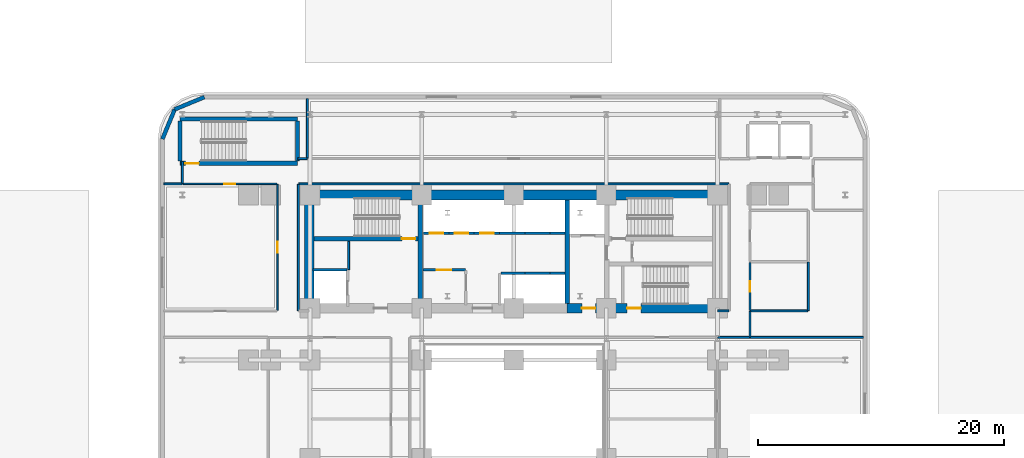
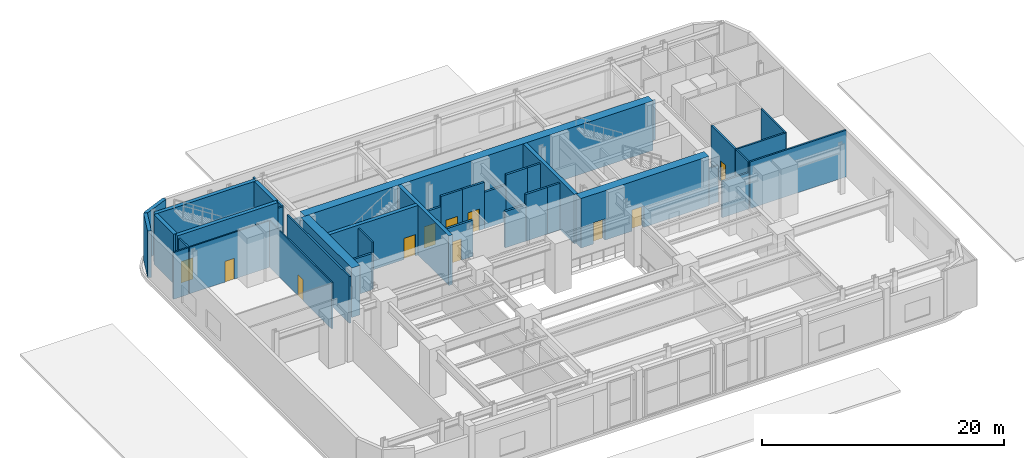
# One storey, part 6 of 12: 39 walls, 11 doors, 11 openings.
"""IFC4 building model written with IfcOpenShell, lengths in metres."""

from ifc_helpers import new_model, si_unit, direction, frame, frame_2d, origin, place, context, subcontext, project, spatial, rectangle, extrude, material, layer, layer_set, type_object, element, fill, save


model = new_model("IFC4")

# Units and contexts
model_context = context("Model", 3, precision=1e-05, world=origin(), true_north=direction((0.0, 1.0)))
body_context = subcontext(model_context, "Body", "Model", "MODEL_VIEW")
ifc_project = project(units=[si_unit("LENGTHUNIT", "METRE"), si_unit("AREAUNIT", "SQUARE_METRE"), si_unit("VOLUMEUNIT", "CUBIC_METRE"), si_unit("PLANEANGLEUNIT", "RADIAN"), si_unit("MASSUNIT", "GRAM", prefix="KILO")], contexts=[model_context])

# Site, building, storey
site_placement = place(None, origin())
site = spatial("IfcSite", under=ifc_project, at=site_placement, CompositionType="ELEMENT")
building_placement = place(site_placement, origin())
building = spatial("IfcBuilding", under=site, at=building_placement, Name="Zarnavel Station Tower", CompositionType="ELEMENT")
storey_placement = place(building_placement, frame((0.0, 0.0, 5.39990234375)))
storey = spatial("IfcBuildingStorey", under=building, at=storey_placement, Name="L02", CompositionType="ELEMENT", Elevation=5.39990234375)

# Walls
ifc_material_1 = material(Name="Concrete C50/60", Category="concrete")
ifc_layer_1 = layer(ifc_material_1, 0.35009765625)
ifc_layer_set_1 = layer_set([ifc_layer_1], Name="CW_350")
wall_type_1 = type_object("IfcWallType", Name="CW_350", PredefinedType="SHEAR", material=ifc_layer_set_1)
for number, where, z_axis, x_axis, name in (
    (1, (21.179931640625, 28.219970703125, 0.0), (0.0, 0.0, 1.0), (0.0, 1.0, 0.0), "L02 Rear Core Shear Wall DIV-W"),
    (2, (33.14990234375, 28.219970703125, 0.0), (0.0, 0.0, 1.0), (0.0, 1.0, 0.0), "L02 Rear Core Shear Wall DIV-E"),
):
    element("IfcWall", number, at=place(storey_placement, frame(where, z_axis=z_axis, x_axis=x_axis)), inside=storey, type_object=wall_type_1, Name=name, PredefinedType="SHEAR", context=body_context, shape_type="SweptSolid", body=[
        extrude(rectangle(XDim=8.429931640625, YDim=0.35009765625, at=frame_2d((4.21484375, 0.0))), origin(), (0.0, 0.0, 1.0), 5.0),
    ])

# Wall, opening, door
wall_1_placement = place(storey_placement, frame((21.0048828125, 33.47998046875, 0.0), z_axis=(0.0, 0.0, 1.0), x_axis=(-1.0, 0.0, 0.0)))
wall_1 = element("IfcWall", 3, at=wall_1_placement, inside=storey, type_object=wall_type_1, Name="L02 Rear Core Shear Wall DIV-H1", PredefinedType="SHEAR", context=body_context, shape_type="SweptSolid", body=[
    extrude(rectangle(XDim=8.454833984375, YDim=0.35009765625, at=frame_2d((4.2275390625, 0.0))), origin(), (0.0, 0.0, 1.0), 5.0),
])
opening_1_placement = place(wall_1_placement, frame((0.219970703125, 0.0, 0.0)))
opening_1 = element("IfcOpeningElement", 4, at=opening_1_placement, cuts=wall_1, Name="Opening FD01", PredefinedType="OPENING", context=body_context, shape_type="SweptSolid", body=[
    extrude(rectangle(XDim=1.10009765625, YDim=2.14990234375, at=frame_2d((0.550048828125, 1.074951171875))), frame((0.0, 0.18505859375, 0.0), z_axis=(0.0, -1.0, 0.0), x_axis=(1.0, 0.0, 0.0)), (0.0, 0.0, 1.0), 0.3701171875),
])
ifc_material_2 = material(Name="Painted Galvanised Steel and Hardwood Leaf", Category="steel")
door_type_1 = type_object("IfcDoorType", Name="ID_STAIR_1100", OperationType="NOTDEFINED", PredefinedType="DOOR", material=ifc_material_2)
door_1_placement = place(opening_1_placement, origin())
door_1 = element("IfcDoor", 5, at=door_1_placement, inside=storey, type_object=door_type_1, Name="L02 Stair ST1 Lobby Fire Door", OperationType="SINGLE_SWING_LEFT", OverallHeight=2.14990234375, OverallWidth=1.10009765625, PredefinedType="DOOR", context=body_context, shape_type="SweptSolid", body=[
    extrude(rectangle(XDim=1.10009765625, YDim=2.14990234375, at=frame_2d((0.550048828125, 1.074951171875))), frame((0.0, 0.02490234375, 0.0), z_axis=(0.0, -1.0, 0.0), x_axis=(1.0, 0.0, 0.0)), (0.0, 0.0, 1.0), 0.050048828125),
])
fill(opening_1, door_1)

# Wall
wall_2_placement = place(storey_placement, frame((1.6201171875, 43.239990234375, 0.0), z_axis=(0.0, 0.0, 1.0), x_axis=(1.0, 0.0, 0.0)))
element("IfcWall", 6, at=wall_2_placement, inside=storey, type_object=wall_type_1, Name="L02 Rear Core Shear Wall ST4-N", PredefinedType="SHEAR", context=body_context, shape_type="SweptSolid", body=[
    extrude(rectangle(XDim=9.559814453125, YDim=0.35009765625, at=frame_2d((4.77978515625, 0.0))), origin(), (0.0, 0.0, 1.0), 5.0),
])

# Wall, opening, door
wall_3_placement = place(storey_placement, frame((11.179931640625, 39.6201171875, 0.0), z_axis=(0.0, 0.0, 1.0), x_axis=(-1.0, 0.0, 0.0)))
wall_3 = element("IfcWall", 7, at=wall_3_placement, inside=storey, type_object=wall_type_1, Name="L02 Rear Core Shear Wall ST4-S", PredefinedType="SHEAR", context=body_context, shape_type="SweptSolid", body=[
    extrude(rectangle(XDim=9.559814453125, YDim=0.35009765625, at=frame_2d((4.77978515625, 0.0))), origin(), (0.0, 0.0, 1.0), 5.0),
])
opening_2_placement = place(wall_3_placement, frame((8.030029296875, 0.0, 0.0)))
opening_2 = element("IfcOpeningElement", 8, at=opening_2_placement, cuts=wall_3, Name="Opening FD01", PredefinedType="OPENING", context=body_context, shape_type="SweptSolid", body=[
    extrude(rectangle(XDim=1.10009765625, YDim=2.14990234375, at=frame_2d((0.550048828125, 1.074951171875))), frame((0.0, 0.18505859375, 0.0), z_axis=(0.0, -1.0, 0.0), x_axis=(1.0, 0.0, 0.0)), (0.0, 0.0, 1.0), 0.3701171875),
])
door_2_placement = place(opening_2_placement, origin())
door_2 = element("IfcDoor", 9, at=door_2_placement, inside=storey, type_object=door_type_1, Name="L02 Podium Stair ST4 Fire Door", OperationType="SINGLE_SWING_RIGHT", OverallHeight=2.14990234375, OverallWidth=1.10009765625, PredefinedType="DOOR", context=body_context, shape_type="SweptSolid", body=[
    extrude(rectangle(XDim=1.10009765625, YDim=2.14990234375, at=frame_2d((0.550048828125, 1.074951171875))), frame((0.0, 0.02490234375, 0.0), z_axis=(0.0, -1.0, 0.0), x_axis=(1.0, 0.0, 0.0)), (0.0, 0.0, 1.0), 0.050048828125),
])
fill(opening_2, door_2)

# Walls
for number, where, z_axis, x_axis, name in (
    (10, (1.6201171875, 39.794921875, 0.0), (0.0, 0.0, 1.0), (0.0, 1.0, 0.0), "L02 Rear Core Shear Wall ST4-W"),
    (11, (11.179931640625, 39.794921875, 0.0), (0.0, 0.0, 1.0), (0.0, 1.0, 0.0), "L02 Rear Core Shear Wall ST4-E"),
):
    element("IfcWall", number, at=place(storey_placement, frame(where, z_axis=z_axis, x_axis=x_axis)), inside=storey, type_object=wall_type_1, Name=name, PredefinedType="SHEAR", context=body_context, shape_type="SweptSolid", body=[
        extrude(rectangle(XDim=3.27001953125, YDim=0.35009765625, at=frame_2d((1.635009765625, 0.0))), origin(), (0.0, 0.0, 1.0), 5.0),
    ])
ifc_material_3 = material(Name="Concrete C60/75", Category="concrete")
ifc_layer_2 = layer(ifc_material_3, 0.800048828125)
ifc_layer_set_2 = layer_set([ifc_layer_2], Name="CW_800")
wall_type_2 = type_object("IfcWallType", Name="CW_800", PredefinedType="SHEAR", material=ifc_layer_set_2)
wall_4_placement = place(storey_placement, frame((12.14990234375, 37.050048828125, 0.0), z_axis=(0.0, 0.0, 1.0), x_axis=(1.0, 0.0, 0.0)))
element("IfcWall", 12, at=wall_4_placement, inside=storey, type_object=wall_type_2, Name="L02 Rear Core Shear Wall N", PredefinedType="SHEAR", context=body_context, shape_type="SweptSolid", body=[
    extrude(rectangle(XDim=33.22998046875, YDim=0.800048828125, at=frame_2d((16.614990234375, 0.0))), origin(), (0.0, 0.0, 1.0), 5.0),
])

# Wall, openings, doors
wall_5_placement = place(storey_placement, frame((45.3798828125, 27.820068359375, 0.0), z_axis=(0.0, 0.0, 1.0), x_axis=(-1.0, 0.0, 0.0)))
wall_5 = element("IfcWall", 13, at=wall_5_placement, inside=storey, type_object=wall_type_2, Name="L02 Rear Core Shear Wall S-E", PredefinedType="SHEAR", context=body_context, shape_type="SweptSolid", body=[
    extrude(rectangle(XDim=12.22998046875, YDim=0.800048828125, at=frame_2d((6.114990234375, 0.0))), origin(), (0.0, 0.0, 1.0), 5.0),
])
opening_3_placement = place(wall_5_placement, frame((9.929931640625, 0.0, 0.0)))
opening_3 = element("IfcOpeningElement", 14, at=opening_3_placement, cuts=wall_5, Name="Opening FD01", PredefinedType="OPENING", context=body_context, shape_type="SweptSolid", body=[
    extrude(rectangle(XDim=1.10009765625, YDim=2.14990234375, at=frame_2d((0.550048828125, 1.074951171875))), frame((0.0, 0.409912109375, 0.0), z_axis=(0.0, -1.0, 0.0), x_axis=(1.0, 0.0, 0.0)), (0.0, 0.0, 1.0), 0.820068359375),
])
opening_4_placement = place(wall_5_placement, frame((6.22998046875, 0.0, 0.0)))
opening_4 = element("IfcOpeningElement", 15, at=opening_4_placement, cuts=wall_5, Name="Opening FD01", PredefinedType="OPENING", context=body_context, shape_type="SweptSolid", body=[
    extrude(rectangle(XDim=1.10009765625, YDim=2.14990234375, at=frame_2d((0.550048828125, 1.074951171875))), frame((0.0, 0.409912109375, 0.0), z_axis=(0.0, -1.0, 0.0), x_axis=(1.0, 0.0, 0.0)), (0.0, 0.0, 1.0), 0.820068359375),
])
door_3_placement = place(opening_3_placement, origin())
door_3 = element("IfcDoor", 16, at=door_3_placement, inside=storey, type_object=door_type_1, Name="L02 East Firefighting Lobby Door", OperationType="SINGLE_SWING_LEFT", OverallHeight=2.14990234375, OverallWidth=1.10009765625, PredefinedType="DOOR", context=body_context, shape_type="SweptSolid", body=[
    extrude(rectangle(XDim=1.10009765625, YDim=2.14990234375, at=frame_2d((0.550048828125, 1.074951171875))), frame((0.0, 0.02490234375, 0.0), z_axis=(0.0, -1.0, 0.0), x_axis=(1.0, 0.0, 0.0)), (0.0, 0.0, 1.0), 0.050048828125),
])
fill(opening_3, door_3)
door_4_placement = place(opening_4_placement, origin())
door_4 = element("IfcDoor", 17, at=door_4_placement, inside=storey, type_object=door_type_1, Name="L02 Stair ST3 Corridor Fire Door", OperationType="SINGLE_SWING_RIGHT", OverallHeight=2.14990234375, OverallWidth=1.10009765625, PredefinedType="DOOR", context=body_context, shape_type="SweptSolid", body=[
    extrude(rectangle(XDim=1.10009765625, YDim=2.14990234375, at=frame_2d((0.550048828125, 1.074951171875))), frame((0.0, 0.02490234375, 0.0), z_axis=(0.0, -1.0, 0.0), x_axis=(1.0, 0.0, 0.0)), (0.0, 0.0, 1.0), 0.050048828125),
])
fill(opening_4, door_4)

# Walls
wall_6_placement = place(storey_placement, frame((12.14990234375, 28.219970703125, 0.0), z_axis=(0.0, 0.0, 1.0), x_axis=(0.0, 1.0, 0.0)))
element("IfcWall", 18, at=wall_6_placement, inside=storey, type_object=wall_type_2, Name="L02 Rear Core Shear Wall W", PredefinedType="SHEAR", context=body_context, shape_type="SweptSolid", body=[
    extrude(rectangle(XDim=8.429931640625, YDim=0.800048828125, at=frame_2d((4.21484375, 0.0))), origin(), (0.0, 0.0, 1.0), 5.0),
])
ifc_material_4 = material(Name="Precast concrete C45/55 (Podium Basalt Frame)", Category="masonry")
ifc_layer_3 = layer(ifc_material_4, 0.320068359375)
ifc_layer_set_3 = layer_set([ifc_layer_3], Name="EW_BASALT_320")
wall_type_3 = type_object("IfcWallType", Name="EW_BASALT_320", PredefinedType="SOLIDWALL", material=ifc_layer_set_3)
wall_7_placement = place(storey_placement, frame((1.181640625, 44.018310546875, 0.0), z_axis=(0.0, 0.0, 1.0), x_axis=(0.923886112352, 0.382667546838, 0.0)))
element("IfcWall", 19, at=wall_7_placement, inside=storey, type_object=wall_type_3, Name="L02 Exterior Basalt Masonry Frame Wall 07", PredefinedType="SOLIDWALL", context=body_context, shape_type="SweptSolid", body=[
    extrude(rectangle(XDim=2.61767578125, YDim=0.320068359375, at=frame_2d((1.308837890625, 0.0))), origin(), (0.0, 0.0, 1.0), 4.7001953125),
])
wall_8_placement = place(storey_placement, frame((0.179931640625, 41.60009765625, 0.0), z_axis=(0.0, 0.0, 1.0), x_axis=(0.382700522567, 0.923872453333, 0.0)))
element("IfcWall", 20, at=wall_8_placement, inside=storey, type_object=wall_type_3, Name="L02 Exterior Basalt Masonry Frame Wall 08", PredefinedType="SOLIDWALL", context=body_context, shape_type="SweptSolid", body=[
    extrude(rectangle(XDim=2.617431640625, YDim=0.320068359375, at=frame_2d((1.30859375, 0.0))), origin(), (0.0, 0.0, 1.0), 4.7001953125),
])
ifc_material_5 = material(Name="Gypsum Twin-Stud Acoustic Fire Partition", Category="concrete")
ifc_layer_4 = layer(ifc_material_5, 0.159912109375)
ifc_layer_set_4 = layer_set([ifc_layer_4], Name="PT_DEMISE_160")
wall_type_4 = type_object("IfcWallType", Name="PT_DEMISE_160", PredefinedType="PARTITIONING", material=ifc_layer_set_4)
wall_9_placement = place(storey_placement, frame((45.43994140625, 25.449951171875, 0.0), z_axis=(0.0, 0.0, 1.0), x_axis=(1.0, 0.0, 0.0)))
element("IfcWall", 21, at=wall_9_placement, inside=storey, type_object=wall_type_4, Name="L02 Partition PCOR-S-RET4", PredefinedType="PARTITIONING", context=body_context, shape_type="SweptSolid", body=[
    extrude(rectangle(XDim=2.570068359375, YDim=0.159912109375, at=frame_2d((1.28515625, 0.0))), origin(), (0.0, 0.0, 1.0), 3.672119140625),
])
wall_10_placement = place(storey_placement, frame((15.35009765625, 30.9599609375, 0.0), z_axis=(0.0, 0.0, 1.0), x_axis=(0.0, 1.0, 0.0)))
element("IfcWall", 22, at=wall_10_placement, inside=storey, type_object=wall_type_4, Name="L02 Enclosure Wall FFL1", PredefinedType="PARTITIONING", context=body_context, shape_type="SweptSolid", body=[
    extrude(rectangle(XDim=2.31005859375, YDim=0.159912109375, at=frame_2d((1.155029296875, 0.0))), origin(), (0.0, 0.0, 1.0), 4.7001953125),
])
wall_11_placement = place(storey_placement, frame((45.409912109375, 27.60009765625, 0.0), z_axis=(0.0, 0.0, 1.0), x_axis=(1.0, 0.0, 0.0)))
element("IfcWall", 23, at=wall_11_placement, inside=storey, type_object=wall_type_4, Name="L02 Enclosure Wall PCOR-S", PredefinedType="PARTITIONING", context=body_context, shape_type="SweptSolid", body=[
    extrude(rectangle(XDim=0.91015625, YDim=0.159912109375, at=frame_2d((0.455078125, 0.0))), origin(), (0.0, 0.0, 1.0), 3.672119140625),
])
wall_12_placement = place(storey_placement, frame((48.050048828125, 25.47998046875, 0.0), z_axis=(0.0, 0.0, 1.0), x_axis=(0.0, 1.0, 0.0)))
element("IfcWall", 24, at=wall_12_placement, inside=storey, type_object=wall_type_4, Name="L02 Enclosure Wall PCOR-S", PredefinedType="PARTITIONING", context=body_context, shape_type="SweptSolid", body=[
    extrude(rectangle(XDim=2.090087890625, YDim=0.159912109375, at=frame_2d((1.044921875, 0.0))), origin(), (0.0, 0.0, 1.0), 4.7001953125),
])
wall_13_placement = place(storey_placement, frame((11.25, 27.6298828125, 0.0), z_axis=(0.0, 0.0, 1.0), x_axis=(0.0, 1.0, 0.0)))
element("IfcWall", 25, at=wall_13_placement, inside=storey, type_object=wall_type_4, Name="L02 Enclosure Wall PCOR-W", PredefinedType="PARTITIONING", context=body_context, shape_type="SweptSolid", body=[
    extrude(rectangle(XDim=10.2900390625, YDim=0.159912109375, at=frame_2d((5.14501953125, 0.0))), origin(), (0.0, 0.0, 1.0), 4.7001953125),
])
wall_14_placement = place(storey_placement, frame((11.280029296875, 37.949951171875, 0.0), z_axis=(0.0, 0.0, 1.0), x_axis=(1.0, 0.0, 0.0)))
element("IfcWall", 26, at=wall_14_placement, inside=storey, type_object=wall_type_4, Name="L02 Enclosure Wall PCOR-N", PredefinedType="PARTITIONING", context=body_context, shape_type="SweptSolid", body=[
    extrude(rectangle(XDim=35.0400390625, YDim=0.159912109375, at=frame_2d((17.52001953125, 0.0))), origin(), (0.0, 0.0, 1.0), 4.030029296875),
])
wall_15_placement = place(storey_placement, frame((11.2099609375, 40.0, 0.0), z_axis=(0.0, 0.0, 1.0), x_axis=(1.0, 0.0, 0.0)))
element("IfcWall", 27, at=wall_15_placement, inside=storey, type_object=wall_type_4, Name="L02 Enclosure Wall PCOR-N", PredefinedType="PARTITIONING", context=body_context, shape_type="SweptSolid", body=[
    extrude(rectangle(XDim=0.760009765625, YDim=0.159912109375, at=frame_2d((0.3798828125, 0.0))), origin(), (0.0, 0.0, 1.0), 4.030029296875),
])
wall_16_placement = place(storey_placement, frame((1.800048828125, 37.97998046875, 0.0), z_axis=(0.0, 0.0, 1.0), x_axis=(0.0, 1.0, 0.0)))
element("IfcWall", 28, at=wall_16_placement, inside=storey, type_object=wall_type_4, Name="L02 Enclosure Wall PCOR-N", PredefinedType="PARTITIONING", context=body_context, shape_type="SweptSolid", body=[
    extrude(rectangle(XDim=1.784912109375, YDim=0.159912109375, at=frame_2d((0.892578125, 0.0))), origin(), (0.0, 0.0, 1.0), 4.7001953125),
])
wall_17_placement = place(storey_placement, frame((0.31005859375, 37.949951171875, 0.0), z_axis=(0.0, 0.0, 1.0), x_axis=(1.0, 0.0, 0.0)))
element("IfcWall", 29, at=wall_17_placement, inside=storey, type_object=wall_type_4, Name="L02 Enclosure Wall PNW", PredefinedType="PARTITIONING", context=body_context, shape_type="SweptSolid", body=[
    extrude(rectangle(XDim=1.4599609375, YDim=0.159912109375, at=frame_2d((0.72998046875, 0.0))), origin(), (0.0, 0.0, 1.0), 4.7001953125),
])
wall_18_placement = place(storey_placement, frame((48.080078125, 27.60009765625, 0.0), z_axis=(0.0, 0.0, 1.0), x_axis=(1.0, 0.0, 0.0)))
element("IfcWall", 30, at=wall_18_placement, inside=storey, type_object=wall_type_4, Name="L02 Enclosure Wall PWC-M", PredefinedType="PARTITIONING", context=body_context, shape_type="SweptSolid", body=[
    extrude(rectangle(XDim=4.68994140625, YDim=0.159912109375, at=frame_2d((2.344970703125, 0.0))), origin(), (0.0, 0.0, 1.0), 4.7001953125),
])
wall_19_placement = place(storey_placement, frame((52.800048828125, 27.6298828125, 0.0), z_axis=(0.0, 0.0, 1.0), x_axis=(0.0, 1.0, 0.0)))
element("IfcWall", 31, at=wall_19_placement, inside=storey, type_object=wall_type_4, Name="L02 Enclosure Wall PWC-M", PredefinedType="PARTITIONING", context=body_context, shape_type="SweptSolid", body=[
    extrude(rectangle(XDim=3.940185546875, YDim=0.159912109375, at=frame_2d((1.97021484375, 0.0))), origin(), (0.0, 0.0, 1.0), 4.7001953125),
])
wall_20_placement = place(storey_placement, frame((48.080078125, 25.449951171875, 0.0), z_axis=(0.0, 0.0, 1.0), x_axis=(1.0, 0.0, 0.0)))
element("IfcWall", 32, at=wall_20_placement, inside=storey, type_object=wall_type_4, Name="L02 Enclosure Wall RET4", PredefinedType="PARTITIONING", context=body_context, shape_type="SweptSolid", body=[
    extrude(rectangle(XDim=9.2099609375, YDim=0.159912109375, at=frame_2d((4.60498046875, 0.0))), origin(), (0.0, 0.0, 1.0), 4.7001953125),
])
wall_21_placement = place(storey_placement, frame((12.0, 40.030029296875, 0.0), z_axis=(0.0, 0.0, 1.0), x_axis=(0.0, 1.0, 0.0)))
element("IfcWall", 33, at=wall_21_placement, inside=storey, type_object=wall_type_4, Name="L02 Enclosure Wall NRET", PredefinedType="PARTITIONING", context=body_context, shape_type="SweptSolid", body=[
    extrude(rectangle(XDim=4.85986328125, YDim=0.159912109375, at=frame_2d((2.429931640625, 0.0))), origin(), (0.0, 0.0, 1.0), 4.030029296875),
])

# Wall, opening, door
ifc_material_6 = material(Name="Gypsum Metal-Stud Interior Partition", Category="concrete")
ifc_layer_5 = layer(ifc_material_6, 0.1201171875)
ifc_layer_set_5 = layer_set([ifc_layer_5], Name="PT_ROOM_120")
wall_type_5 = type_object("IfcWallType", Name="PT_ROOM_120", PredefinedType="PARTITIONING", material=ifc_layer_set_5)
wall_22_placement = place(storey_placement, frame((9.550048828125, 27.639892578125, 0.0), z_axis=(0.0, 0.0, 1.0), x_axis=(0.0, 1.0, 0.0)))
wall_22 = element("IfcWall", 34, at=wall_22_placement, inside=storey, type_object=wall_type_5, Name="L02 Partition PCOR-W-PNW", PredefinedType="PARTITIONING", context=body_context, shape_type="SweptSolid", body=[
    extrude(rectangle(XDim=10.27001953125, YDim=0.1201171875, at=frame_2d((5.135009765625, 0.0))), origin(), (0.0, 0.0, 1.0), 4.7001953125),
])
opening_5_placement = place(wall_22_placement, frame((4.68505859375, 0.0, 0.0)))
opening_5 = element("IfcOpeningElement", 35, at=opening_5_placement, cuts=wall_22, Name="Opening ID01", PredefinedType="OPENING", context=body_context, shape_type="SweptSolid", body=[
    extrude(rectangle(XDim=0.89990234375, YDim=2.10009765625, at=frame_2d((0.449951171875, 1.050048828125))), frame((0.0, 0.070068359375, 0.0), z_axis=(0.0, -1.0, 0.0), x_axis=(1.0, 0.0, 0.0)), (0.0, 0.0, 1.0), 0.14013671875),
])
ifc_material_7 = material(Name="Painted Galvanised Steel and Hardwood Leaf", Category="steel")
door_type_2 = type_object("IfcDoorType", Name="ID_ROOM_900", OperationType="NOTDEFINED", PredefinedType="DOOR", material=ifc_material_7)
door_5_placement = place(opening_5_placement, origin())
door_5 = element("IfcDoor", 36, at=door_5_placement, inside=storey, type_object=door_type_2, Name="L02 Door PCOR-W-PNW", OperationType="SINGLE_SWING_RIGHT", OverallHeight=2.10009765625, OverallWidth=0.89990234375, PredefinedType="DOOR", context=body_context, shape_type="SweptSolid", body=[
    extrude(rectangle(XDim=0.89990234375, YDim=2.10009765625, at=frame_2d((0.449951171875, 1.050048828125))), frame((0.0, 0.02490234375, 0.0), z_axis=(0.0, -1.0, 0.0), x_axis=(1.0, 0.0, 0.0)), (0.0, 0.0, 1.0), 0.050048828125),
])
fill(opening_5, door_5)

wall_23_placement = place(storey_placement, frame((1.840087890625, 37.949951171875, 0.0), z_axis=(0.0, 0.0, 1.0), x_axis=(1.0, 0.0, 0.0)))
wall_23 = element("IfcWall", 37, at=wall_23_placement, inside=storey, type_object=wall_type_5, Name="L02 Partition PCOR-N-PNW", PredefinedType="PARTITIONING", context=body_context, shape_type="SweptSolid", body=[
    extrude(rectangle(XDim=7.669921875, YDim=0.1201171875, at=frame_2d((3.8349609375, 0.0))), origin(), (0.0, 0.0, 1.0), 4.7001953125),
])
opening_6_placement = place(wall_23_placement, frame((3.385009765625, 0.0, 0.0)))
opening_6 = element("IfcOpeningElement", 38, at=opening_6_placement, cuts=wall_23, Name="Opening ID01", PredefinedType="OPENING", context=body_context, shape_type="SweptSolid", body=[
    extrude(rectangle(XDim=0.89990234375, YDim=2.10009765625, at=frame_2d((0.449951171875, 1.050048828125))), frame((0.0, 0.070068359375, 0.0), z_axis=(0.0, -1.0, 0.0), x_axis=(1.0, 0.0, 0.0)), (0.0, 0.0, 1.0), 0.14013671875),
])
door_6_placement = place(opening_6_placement, origin())
door_6 = element("IfcDoor", 39, at=door_6_placement, inside=storey, type_object=door_type_2, Name="L02 Door PCOR-N-PNW", OperationType="SINGLE_SWING_LEFT", OverallHeight=2.10009765625, OverallWidth=0.89990234375, PredefinedType="DOOR", context=body_context, shape_type="SweptSolid", body=[
    extrude(rectangle(XDim=0.89990234375, YDim=2.10009765625, at=frame_2d((0.449951171875, 1.050048828125))), frame((0.0, 0.02490234375, 0.0), z_axis=(0.0, -1.0, 0.0), x_axis=(1.0, 0.0, 0.0)), (0.0, 0.0, 1.0), 0.050048828125),
])
fill(opening_6, door_6)

# Walls
ifc_material_8 = material(Name="Precast concrete C45/55 (Fire Shaft Blockwork)", Category="masonry")
ifc_layer_6 = layer(ifc_material_8, 0.199951171875)
ifc_layer_set_6 = layer_set([ifc_layer_6], Name="PT_SHAFT_200")
wall_type_6 = type_object("IfcWallType", Name="PT_SHAFT_200", PredefinedType="PARTITIONING", material=ifc_layer_set_6)
wall_24_placement = place(storey_placement, frame((12.449951171875, 30.949951171875, 0.0), z_axis=(0.0, 0.0, 1.0), x_axis=(1.0, 0.0, 0.0)))
element("IfcWall", 40, at=wall_24_placement, inside=storey, type_object=wall_type_6, Name="L02 Lift FFL-01 North Shaft Wall", PredefinedType="PARTITIONING", context=body_context, shape_type="SweptSolid", body=[
    extrude(rectangle(XDim=2.75, YDim=0.199951171875, at=frame_2d((1.375, 0.0))), origin(), (0.0, 0.0, 1.0), 3.672119140625),
])
wall_25_placement = place(storey_placement, frame((27.75, 30.669921875, 0.0), z_axis=(0.0, 0.0, 1.0), x_axis=(1.0, 0.0, 0.0)))
element("IfcWall", 41, at=wall_25_placement, inside=storey, type_object=wall_type_6, Name="L02 Lift PL-H1 Shaft Front Wall", PredefinedType="PARTITIONING", context=body_context, shape_type="SweptSolid", body=[
    extrude(rectangle(XDim=1.97509765625, YDim=0.199951171875, at=frame_2d((0.987548828125, 0.0))), origin(), (0.0, 0.0, 1.0), 3.672119140625),
])
wall_26_placement = place(storey_placement, frame((29.72509765625, 30.669921875, 0.0), z_axis=(0.0, 0.0, 1.0), x_axis=(1.0, 0.0, 0.0)))
element("IfcWall", 42, at=wall_26_placement, inside=storey, type_object=wall_type_6, Name="L02 Lift PL-H2 Shaft Front Wall", PredefinedType="PARTITIONING", context=body_context, shape_type="SweptSolid", body=[
    extrude(rectangle(XDim=2.0498046875, YDim=0.199951171875, at=frame_2d((1.02490234375, 0.0))), origin(), (0.0, 0.0, 1.0), 4.7001953125),
])
wall_27_placement = place(storey_placement, frame((31.77490234375, 30.669921875, 0.0), z_axis=(0.0, 0.0, 1.0), x_axis=(1.0, 0.0, 0.0)))
element("IfcWall", 43, at=wall_27_placement, inside=storey, type_object=wall_type_6, Name="L02 Lift PL-H3 Shaft Front Wall", PredefinedType="PARTITIONING", context=body_context, shape_type="SweptSolid", body=[
    extrude(rectangle(XDim=1.2001953125, YDim=0.199951171875, at=frame_2d((0.60009765625, 0.0))), origin(), (0.0, 0.0, 1.0), 4.7001953125),
])

# Wall, opening, door
wall_28_placement = place(storey_placement, frame((21.4599609375, 33.929931640625, 0.0), z_axis=(0.0, 0.0, 1.0), x_axis=(1.0, 0.0, 0.0)))
wall_28 = element("IfcWall", 44, at=wall_28_placement, inside=storey, type_object=wall_type_6, Name="L02 Lift PL-L1 Shaft Front Wall", PredefinedType="PARTITIONING", context=body_context, shape_type="SweptSolid", body=[
    extrude(rectangle(XDim=2.06494140625, YDim=0.199951171875, at=frame_2d((1.032470703125, 0.0))), origin(), (0.0, 0.0, 1.0), 3.672119140625),
])
opening_7_placement = place(wall_28_placement, frame((0.482421875, 0.0, 0.0)))
opening_7 = element("IfcOpeningElement", 45, at=opening_7_placement, cuts=wall_28, Name="Opening LD02", PredefinedType="OPENING", context=body_context, shape_type="SweptSolid", body=[
    extrude(rectangle(XDim=1.10009765625, YDim=2.14990234375, at=frame_2d((0.550048828125, 1.074951171875))), frame((0.0, 0.10986328125, 0.0), z_axis=(0.0, -1.0, 0.0), x_axis=(1.0, 0.0, 0.0)), (0.0, 0.0, 1.0), 0.219970703125),
])
ifc_material_9 = material(Name="Painted Galvanised Steel and Hardwood Leaf", Category="steel")
door_type_3 = type_object("IfcDoorType", Name="LD_PAX_1100", OperationType="DOUBLE_DOOR_SLIDING", PredefinedType="DOOR", material=ifc_material_9)
door_7_placement = place(opening_7_placement, origin())
door_7 = element("IfcDoor", 46, at=door_7_placement, inside=storey, type_object=door_type_3, Name="L02 Lift PL-L1 Sliding Landing Door", OperationType="DOUBLE_DOOR_SLIDING", OverallHeight=2.14990234375, OverallWidth=1.10009765625, PredefinedType="DOOR", context=body_context, shape_type="SweptSolid", body=[
    extrude(rectangle(XDim=1.10009765625, YDim=2.14990234375, at=frame_2d((0.550048828125, 1.074951171875))), frame((0.0, 0.02490234375, 0.0), z_axis=(0.0, -1.0, 0.0), x_axis=(1.0, 0.0, 0.0)), (0.0, 0.0, 1.0), 0.050048828125),
])
fill(opening_7, door_7)

wall_29_placement = place(storey_placement, frame((23.52490234375, 33.929931640625, 0.0), z_axis=(0.0, 0.0, 1.0), x_axis=(1.0, 0.0, 0.0)))
wall_29 = element("IfcWall", 47, at=wall_29_placement, inside=storey, type_object=wall_type_6, Name="L02 Lift PL-L2 Shaft Front Wall", PredefinedType="PARTITIONING", context=body_context, shape_type="SweptSolid", body=[
    extrude(rectangle(XDim=2.050048828125, YDim=0.199951171875, at=frame_2d((1.02490234375, 0.0))), origin(), (0.0, 0.0, 1.0), 4.7001953125),
])
opening_8_placement = place(wall_29_placement, frame((0.47509765625, 0.0, 0.0)))
opening_8 = element("IfcOpeningElement", 48, at=opening_8_placement, cuts=wall_29, Name="Opening LD02", PredefinedType="OPENING", context=body_context, shape_type="SweptSolid", body=[
    extrude(rectangle(XDim=1.10009765625, YDim=2.14990234375, at=frame_2d((0.550048828125, 1.074951171875))), frame((0.0, 0.10986328125, 0.0), z_axis=(0.0, -1.0, 0.0), x_axis=(1.0, 0.0, 0.0)), (0.0, 0.0, 1.0), 0.219970703125),
])
door_8_placement = place(opening_8_placement, origin())
door_8 = element("IfcDoor", 49, at=door_8_placement, inside=storey, type_object=door_type_3, Name="L02 Lift PL-L2 Sliding Landing Door", OperationType="DOUBLE_DOOR_SLIDING", OverallHeight=2.14990234375, OverallWidth=1.10009765625, PredefinedType="DOOR", context=body_context, shape_type="SweptSolid", body=[
    extrude(rectangle(XDim=1.10009765625, YDim=2.14990234375, at=frame_2d((0.550048828125, 1.074951171875))), frame((0.0, 0.02490234375, 0.0), z_axis=(0.0, -1.0, 0.0), x_axis=(1.0, 0.0, 0.0)), (0.0, 0.0, 1.0), 0.050048828125),
])
fill(opening_8, door_8)

wall_30_placement = place(storey_placement, frame((25.574951171875, 33.929931640625, 0.0), z_axis=(0.0, 0.0, 1.0), x_axis=(1.0, 0.0, 0.0)))
wall_30 = element("IfcWall", 50, at=wall_30_placement, inside=storey, type_object=wall_type_6, Name="L02 Lift PL-L3 Shaft Front Wall", PredefinedType="PARTITIONING", context=body_context, shape_type="SweptSolid", body=[
    extrude(rectangle(XDim=2.074951171875, YDim=0.199951171875, at=frame_2d((1.03759765625, 0.0))), origin(), (0.0, 0.0, 1.0), 4.7001953125),
])
opening_9_placement = place(wall_30_placement, frame((0.487548828125, 0.0, 0.0)))
opening_9 = element("IfcOpeningElement", 51, at=opening_9_placement, cuts=wall_30, Name="Opening LD02", PredefinedType="OPENING", context=body_context, shape_type="SweptSolid", body=[
    extrude(rectangle(XDim=1.10009765625, YDim=2.14990234375, at=frame_2d((0.550048828125, 1.074951171875))), frame((0.0, 0.10986328125, 0.0), z_axis=(0.0, -1.0, 0.0), x_axis=(1.0, 0.0, 0.0)), (0.0, 0.0, 1.0), 0.219970703125),
])
door_9_placement = place(opening_9_placement, origin())
door_9 = element("IfcDoor", 52, at=door_9_placement, inside=storey, type_object=door_type_3, Name="L02 Lift PL-L3 Sliding Landing Door", OperationType="DOUBLE_DOOR_SLIDING", OverallHeight=2.14990234375, OverallWidth=1.10009765625, PredefinedType="DOOR", context=body_context, shape_type="SweptSolid", body=[
    extrude(rectangle(XDim=1.10009765625, YDim=2.14990234375, at=frame_2d((0.550048828125, 1.074951171875))), frame((0.0, 0.02490234375, 0.0), z_axis=(0.0, -1.0, 0.0), x_axis=(1.0, 0.0, 0.0)), (0.0, 0.0, 1.0), 0.050048828125),
])
fill(opening_9, door_9)

# Walls
wall_31_placement = place(storey_placement, frame((27.64990234375, 33.929931640625, 0.0), z_axis=(0.0, 0.0, 1.0), x_axis=(1.0, 0.0, 0.0)))
element("IfcWall", 53, at=wall_31_placement, inside=storey, type_object=wall_type_6, Name="L02 Lift PL-M1 Shaft Front Wall", PredefinedType="PARTITIONING", context=body_context, shape_type="SweptSolid", body=[
    extrude(rectangle(XDim=2.0751953125, YDim=0.199951171875, at=frame_2d((1.03759765625, 0.0))), origin(), (0.0, 0.0, 1.0), 3.672119140625),
])
wall_32_placement = place(storey_placement, frame((29.72509765625, 33.929931640625, 0.0), z_axis=(0.0, 0.0, 1.0), x_axis=(1.0, 0.0, 0.0)))
element("IfcWall", 54, at=wall_32_placement, inside=storey, type_object=wall_type_6, Name="L02 Lift PL-M2 Shaft Front Wall", PredefinedType="PARTITIONING", context=body_context, shape_type="SweptSolid", body=[
    extrude(rectangle(XDim=2.0498046875, YDim=0.199951171875, at=frame_2d((1.02490234375, 0.0))), origin(), (0.0, 0.0, 1.0), 4.7001953125),
])
wall_33_placement = place(storey_placement, frame((31.77490234375, 33.929931640625, 0.0), z_axis=(0.0, 0.0, 1.0), x_axis=(1.0, 0.0, 0.0)))
element("IfcWall", 55, at=wall_33_placement, inside=storey, type_object=wall_type_6, Name="L02 Lift PL-M3 Shaft Front Wall", PredefinedType="PARTITIONING", context=body_context, shape_type="SweptSolid", body=[
    extrude(rectangle(XDim=1.2001953125, YDim=0.199951171875, at=frame_2d((0.60009765625, 0.0))), origin(), (0.0, 0.0, 1.0), 4.7001953125),
])

# Wall, opening, door
wall_34_placement = place(storey_placement, frame((21.39990234375, 30.949951171875, 0.0), z_axis=(0.0, 0.0, 1.0), x_axis=(1.0, 0.0, 0.0)))
wall_34 = element("IfcWall", 56, at=wall_34_placement, inside=storey, type_object=wall_type_6, Name="L02 Partition LLOB-CS1", PredefinedType="PARTITIONING", context=body_context, shape_type="SweptSolid", body=[
    extrude(rectangle(XDim=3.460205078125, YDim=0.199951171875, at=frame_2d((1.72998046875, 0.0))), origin(), (0.0, 0.0, 1.0), 3.672119140625),
])
opening_10_placement = place(wall_34_placement, frame((1.1298828125, 0.0, 0.0)))
opening_10 = element("IfcOpeningElement", 57, at=opening_10_placement, cuts=wall_34, Name="Opening FD03", PredefinedType="OPENING", context=body_context, shape_type="SweptSolid", body=[
    extrude(rectangle(XDim=1.199951171875, YDim=2.14990234375, at=frame_2d((0.60009765625, 1.074951171875))), frame((0.0, 0.10986328125, 0.0), z_axis=(0.0, -1.0, 0.0), x_axis=(1.0, 0.0, 0.0)), (0.0, 0.0, 1.0), 0.219970703125),
])
ifc_material_10 = material(Name="Painted Galvanised Steel and Hardwood Leaf", Category="steel")
door_type_4 = type_object("IfcDoorType", Name="ID_PLANT_1200", OperationType="NOTDEFINED", PredefinedType="DOOR", material=ifc_material_10)
door_10_placement = place(opening_10_placement, origin())
door_10 = element("IfcDoor", 58, at=door_10_placement, inside=storey, type_object=door_type_4, Name="L02 Door LLOB-CS1", OperationType="SINGLE_SWING_LEFT", OverallHeight=2.14990234375, OverallWidth=1.199951171875, PredefinedType="DOOR", context=body_context, shape_type="SweptSolid", body=[
    extrude(rectangle(XDim=1.199951171875, YDim=2.14990234375, at=frame_2d((0.60009765625, 1.074951171875))), frame((0.0, 0.02490234375, 0.0), z_axis=(0.0, -1.0, 0.0), x_axis=(1.0, 0.0, 0.0)), (0.0, 0.0, 1.0), 0.050048828125),
])
fill(opening_10, door_10)

ifc_material_11 = material(Name="Moisture-Resistant Plumbing Chase Wall", Category="concrete")
ifc_layer_7 = layer(ifc_material_11, 0.179931640625)
ifc_layer_set_7 = layer_set([ifc_layer_7], Name="PW_PLUMB_180")
wall_type_7 = type_object("IfcWallType", Name="PW_PLUMB_180", PredefinedType="PLUMBINGWALL", material=ifc_layer_set_7)
wall_35_placement = place(storey_placement, frame((48.050048828125, 27.639892578125, 0.0), z_axis=(0.0, 0.0, 1.0), x_axis=(0.0, 1.0, 0.0)))
wall_35 = element("IfcWall", 59, at=wall_35_placement, inside=storey, type_object=wall_type_7, Name="L02 Partition PCOR-E-PWC-M", PredefinedType="PLUMBINGWALL", context=body_context, shape_type="SweptSolid", body=[
    extrude(rectangle(XDim=3.920166015625, YDim=0.179931640625, at=frame_2d((1.9599609375, 0.0))), origin(), (0.0, 0.0, 1.0), 4.7001953125),
])
opening_11_placement = place(wall_35_placement, frame((1.534912109375, 0.0, 0.0)))
opening_11 = element("IfcOpeningElement", 60, at=opening_11_placement, cuts=wall_35, Name="Opening ID02", PredefinedType="OPENING", context=body_context, shape_type="SweptSolid", body=[
    extrude(rectangle(XDim=0.85009765625, YDim=2.10009765625, at=frame_2d((0.425048828125, 1.050048828125))), frame((0.0, 0.099853515625, 0.0), z_axis=(0.0, -1.0, 0.0), x_axis=(1.0, 0.0, 0.0)), (0.0, 0.0, 1.0), 0.199951171875),
])
ifc_material_12 = material(Name="Painted Galvanised Steel and Hardwood Leaf", Category="steel")
door_type_5 = type_object("IfcDoorType", Name="ID_BATH_850", OperationType="NOTDEFINED", PredefinedType="DOOR", material=ifc_material_12)
door_11_placement = place(opening_11_placement, origin())
door_11 = element("IfcDoor", 61, at=door_11_placement, inside=storey, type_object=door_type_5, Name="L02 Door PCOR-E-PWC-M", OperationType="SINGLE_SWING_LEFT", OverallHeight=2.10009765625, OverallWidth=0.85009765625, PredefinedType="DOOR", context=body_context, shape_type="SweptSolid", body=[
    extrude(rectangle(XDim=0.85009765625, YDim=2.10009765625, at=frame_2d((0.425048828125, 1.050048828125))), frame((0.0, 0.02490234375, 0.0), z_axis=(0.0, -1.0, 0.0), x_axis=(1.0, 0.0, 0.0)), (0.0, 0.0, 1.0), 0.050048828125),
])
fill(opening_11, door_11)

save(model, "model.ifc")
